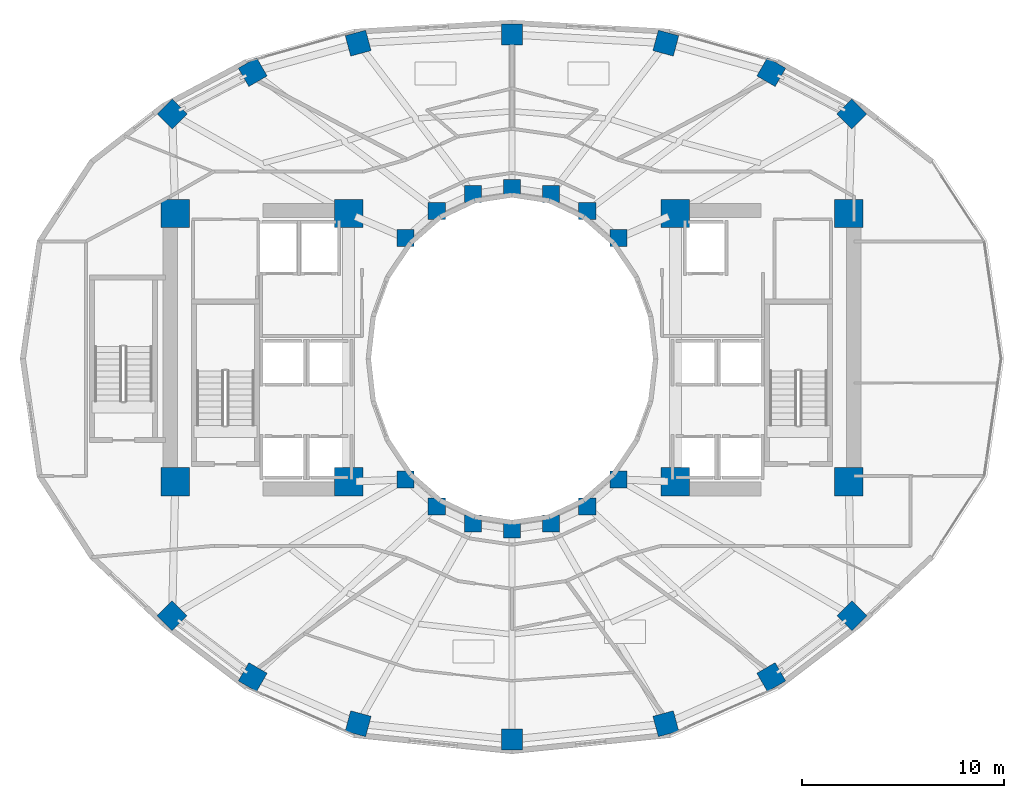
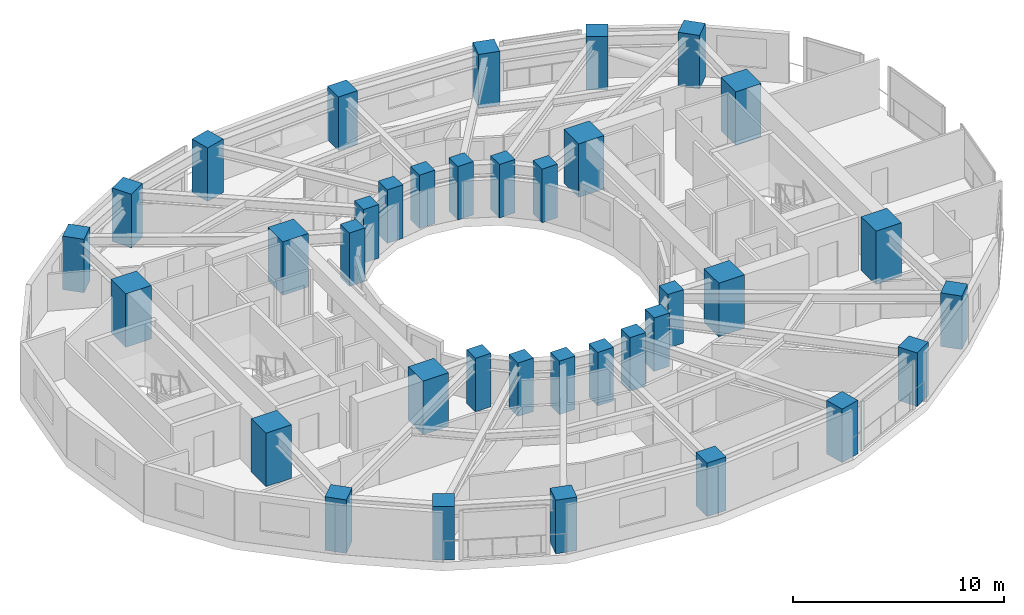
# One storey, part 1 of 18: 36 columns.
"""IFC4 building model written with IfcOpenShell, lengths in metres."""

import ifcopenshell
import ifcopenshell.guid

model = None  # the IFC model being written
_history = None  # IfcOwnerHistory: only IFC2X3 demands one
_inside = {}  # id of a spatial element -> (the spatial element, [elements in it])
_under = {}  # id of a project, library or spatial element -> (it, [spatial elements below it])
_declared = {}  # id of a project -> (the project, [libraries it declares])
_typed = {}  # id of a type object -> (the type object, [elements of that type])
_made_of = {}  # id of a material, layer set ... -> (it, [elements and type objects made of it])


def new_model(schema):
    """Start an empty IFC model of exactly this schema.

    Asked for "IFC4X3", IfcOpenShell would pick the latest addendum, in which some entities
    have other attributes; the version numbers below select the first issue.
    IFC2X3 requires an IfcOwnerHistory on every rooted entity: one is made here for all.
    """
    global model, _history
    if schema == "IFC4X3":
        model = ifcopenshell.file(schema_version=(4, 3, 0, 0))
    else:
        model = ifcopenshell.file(schema=schema)
    _inside.clear()
    _under.clear()
    _declared.clear()
    _typed.clear()
    _made_of.clear()
    _history = None
    if model.schema == "IFC2X3":
        org = make("IfcOrganization", Name="unknown")
        user = make(
            "IfcPersonAndOrganization",
            ThePerson=make("IfcPerson", FamilyName="unknown"),
            TheOrganization=org,
        )
        app = make(
            "IfcApplication",
            ApplicationDeveloper=org,
            Version="unknown",
            ApplicationFullName="unknown",
            ApplicationIdentifier="unknown",
        )
        _history = make(
            "IfcOwnerHistory",
            OwningUser=user,
            OwningApplication=app,
            ChangeAction="ADDED",
            CreationDate=0,
        )
    return model


def make(cls, **values):
    """One entity of the class cls with the attributes given. An attribute that is None is left unset."""
    return model.create_entity(
        cls, **{name: value for name, value in values.items() if value is not None}
    )


def rooted(cls, **values):
    """An entity with a GlobalId (a new one), such as an element, a storey or a relation."""
    return make(cls, GlobalId=ifcopenshell.guid.new(), OwnerHistory=_history, **values)


def si_unit(unit_type, name, prefix=None):
    """IfcSIUnit, for example si_unit("LENGTHUNIT", "METRE", prefix="MILLI")."""
    return make("IfcSIUnit", UnitType=unit_type, Prefix=prefix, Name=name)


def assignment(units):
    """IfcUnitAssignment: the units of a project."""
    return None if units is None else make("IfcUnitAssignment", Units=units)


def point(xyz):
    """IfcCartesianPoint."""
    return None if xyz is None else make("IfcCartesianPoint", Coordinates=xyz)


def direction(xyz):
    """IfcDirection."""
    return None if xyz is None else make("IfcDirection", DirectionRatios=xyz)


def frame(location, z_axis=None, x_axis=None):
    """IfcAxis2Placement3D, a coordinate frame: its origin and axes. An axis left out is left unset."""
    return make(
        "IfcAxis2Placement3D",
        Location=point(location),
        Axis=direction(z_axis),
        RefDirection=direction(x_axis),
    )


def frame_2d(location, x_axis=None):
    """IfcAxis2Placement2D, a coordinate frame in the plane: its origin and x axis."""
    return make(
        "IfcAxis2Placement2D", Location=point(location), RefDirection=direction(x_axis)
    )


def origin():
    """The frame at (0, 0, 0) with its axes left unset."""
    return frame((0.0, 0.0, 0.0))


def origin_2d():
    """The frame at (0, 0) in the plane with its x axis left unset."""
    return frame_2d((0.0, 0.0))


def place(relative_to, where):
    """IfcLocalPlacement: puts the frame where relative to a parent placement (None: the world)."""
    return make(
        "IfcLocalPlacement", PlacementRelTo=relative_to, RelativePlacement=where
    )


def context(
    kind, dimensions, precision=None, world=None, true_north=None, identifier=None
):
    """IfcGeometricRepresentationContext, for example the 3D "Model" context."""
    return make(
        "IfcGeometricRepresentationContext",
        ContextIdentifier=identifier,
        ContextType=kind,
        CoordinateSpaceDimension=dimensions,
        Precision=precision,
        WorldCoordinateSystem=world,
        TrueNorth=true_north,
    )


def subcontext(parent, identifier, kind, view, scale=None):
    """IfcGeometricRepresentationSubContext, for example "Body" below "Model"."""
    return make(
        "IfcGeometricRepresentationSubContext",
        ContextIdentifier=identifier,
        ContextType=kind,
        ParentContext=parent,
        TargetScale=scale,
        TargetView=view,
    )


def project(units=None, contexts=None):
    """IfcProject with its units and contexts."""
    return rooted(
        "IfcProject",
        Name="project",
        RepresentationContexts=contexts,
        UnitsInContext=assignment(units),
    )


def spatial(cls, under=None, at=None, **own):
    """A site, building, storey or space (cls), placed at a placement, below another one or the project."""
    s = rooted(cls, ObjectPlacement=at, **own)
    if under is not None:
        _under.setdefault(under.id(), (under, []))[1].append(s)
    return s


def profile(cls, at=None, kind="AREA", **sizes):
    """A parametric profile (cls). Its sizes go by their IFC names, for example OverallWidth=200.0."""
    return make(cls, ProfileType=kind, Position=at, **sizes)


def rectangle(**sizes):
    """IfcRectangleProfileDef."""
    return profile("IfcRectangleProfileDef", **sizes)


def extrude(swept, where, along, depth):
    """IfcExtrudedAreaSolid: the profile swept, set in the frame where, extruded along a direction by depth."""
    return make(
        "IfcExtrudedAreaSolid",
        SweptArea=swept,
        Position=where,
        ExtrudedDirection=direction(along),
        Depth=depth,
    )


def shape(context_of_items, identifier, shape_type, items):
    """IfcShapeRepresentation: the items that make up one representation, for example the "Body"."""
    return make(
        "IfcShapeRepresentation",
        ContextOfItems=context_of_items,
        RepresentationIdentifier=identifier,
        RepresentationType=shape_type,
        Items=items,
    )


def material(Name=None, Category=None):
    """IfcMaterial."""
    return make("IfcMaterial", Name=Name, Category=Category)


def material_profile(
    of_material, cross_section, Name=None, Category=None, Priority=None
):
    """IfcMaterialProfile: a cross section and its material."""
    return make(
        "IfcMaterialProfile",
        Name=Name,
        Material=of_material,
        Profile=cross_section,
        Priority=Priority,
        Category=Category,
    )


def profile_set(profiles, Name=None, composite=None):
    """IfcMaterialProfileSet."""
    return make(
        "IfcMaterialProfileSet",
        Name=Name,
        MaterialProfiles=profiles,
        CompositeProfile=composite,
    )


def made_of(thing, what):
    """Note that an element or type object is made of a material, layer set ...; save() writes the relation."""
    if what is not None:
        _made_of.setdefault(what.id(), (what, []))[1].append(thing)
    return thing


def type_object(cls, material=None, **own):
    """A type object (cls), such as IfcWallType, which elements share."""
    return made_of(rooted(cls, **own), material)


def element(
    cls,
    number,
    at=None,
    inside=None,
    cuts=None,
    type_object=None,
    material=None,
    context=None,
    identifier="Body",
    shape_type=None,
    held_by="IfcProductDefinitionShape",
    body=None,
    shapes=None,
    **own,
):
    """One element of the class cls, such as IfcWall. Its Tag is "e" and its number.

    at: its placement. inside: the storey or other place that contains it. cuts: it is an
    opening in that element (IfcRelVoidsElement). A single representation is given by context,
    identifier, shape_type and body (its items); several are given by shapes. held_by: the class
    of the entity that holds the representations. save() writes the other relations.
    """
    e = rooted(cls, Tag="e%d" % number, ObjectPlacement=at, **own)
    if body is not None:
        shapes = [shape(context, identifier, shape_type, body)]
    if shapes is not None:
        e.Representation = make(held_by, Representations=shapes)
    if inside is not None:
        _inside.setdefault(inside.id(), (inside, []))[1].append(e)
    if cuts is not None:
        rooted(
            "IfcRelVoidsElement", RelatingBuildingElement=cuts, RelatedOpeningElement=e
        )
    if type_object is not None:
        _typed.setdefault(type_object.id(), (type_object, []))[1].append(e)
    return made_of(e, material)


def aggregate(whole, parts):
    """IfcRelAggregates: a whole, such as a stair, and the parts it consists of."""
    return rooted("IfcRelAggregates", RelatingObject=whole, RelatedObjects=parts)


def save(model, path):
    """Write the relations noted so far, then the file.

    IfcRelAggregates (storeys below a building ...), IfcRelContainedInSpatialStructure (elements
    in a storey), IfcRelDefinesByType, IfcRelAssociatesMaterial and IfcRelDeclares: one each for
    every whole, place, type object, material and project.
    """
    for whole, parts in _under.values():
        aggregate(whole, parts)
    for where, things in _inside.values():
        rooted(
            "IfcRelContainedInSpatialStructure",
            RelatedElements=things,
            RelatingStructure=where,
        )
    for kind, things in _typed.values():
        rooted("IfcRelDefinesByType", RelatedObjects=things, RelatingType=kind)
    for what, things in _made_of.values():
        rooted("IfcRelAssociatesMaterial", RelatedObjects=things, RelatingMaterial=what)
    for by, libraries in _declared.values():
        rooted("IfcRelDeclares", RelatingContext=by, RelatedDefinitions=libraries)
    model.write(path)


model = new_model("IFC4")

# Units and contexts
model_context = context("Model", 3, precision=1e-05, world=origin(), true_north=direction((0.0, 1.0)))
body_context = subcontext(model_context, "Body", "Model", "MODEL_VIEW")
ifc_project = project(units=[si_unit("LENGTHUNIT", "METRE"), si_unit("AREAUNIT", "SQUARE_METRE"), si_unit("VOLUMEUNIT", "CUBIC_METRE"), si_unit("PLANEANGLEUNIT", "RADIAN"), si_unit("MASSUNIT", "GRAM", prefix="KILO")], contexts=[model_context])

# Site, building, storey
site_placement = place(None, origin())
site = spatial("IfcSite", under=ifc_project, at=site_placement, CompositionType="ELEMENT")
building_placement = place(site_placement, origin())
building = spatial("IfcBuilding", under=site, at=building_placement, Name="Solvane Sanctuary Tower", CompositionType="ELEMENT")
storey_placement = place(building_placement, frame((0.0, 0.0, 94.89990234375)))
storey = spatial("IfcBuildingStorey", under=building, at=storey_placement, Name="L28", CompositionType="ELEMENT", Elevation=94.89990234375)

# Columns
ifc_material_1 = material(Name="Concrete C70/85", Category="concrete")
ifc_material_profile_1 = material_profile(ifc_material_1, rectangle(XDim=1.39990234375, YDim=1.39990234375, at=origin_2d()), Name="RC1400X1400")
ifc_profile_set_1 = profile_set([ifc_material_profile_1], Name="Concrete C70/85")
column_type_1 = type_object("IfcColumnType", Name="Column C-POD-INT RC1400X1400", PredefinedType="COLUMN", material=ifc_profile_set_1)
for number, where, z_axis, x_axis, name in (
    (1, (15.300048828125, 16.89990234375, 0.0), (0.0, 0.0, 1.0), (1.0, 0.0, 0.0), "L28 Core Corner Column CW1"),
    (2, (23.89990234375, 16.89990234375, 0.0), (0.0, 0.0, 1.0), (1.0, 0.0, 0.0), "L28 Core Corner Column CW2"),
    (3, (23.89990234375, 30.199951171875, 0.0), (0.0, 0.0, 1.0), (1.0, 0.0, 0.0), "L28 Core Corner Column CW3"),
    (4, (15.300048828125, 30.199951171875, 0.0), (0.0, 0.0, 1.0), (1.0, 0.0, 0.0), "L28 Core Corner Column CW4"),
    (5, (40.10009765625, 16.89990234375, 0.0), (0.0, 0.0, 1.0), (1.0, 0.0, 0.0), "L28 Core Corner Column CE1"),
    (6, (48.699951171875, 16.89990234375, 0.0), (0.0, 0.0, 1.0), (1.0, 0.0, 0.0), "L28 Core Corner Column CE2"),
    (7, (48.699951171875, 30.199951171875, 0.0), (0.0, 0.0, 1.0), (1.0, 0.0, 0.0), "L28 Core Corner Column CE3"),
    (8, (40.10009765625, 30.199951171875, 0.0), (0.0, 0.0, 1.0), (1.0, 0.0, 0.0), "L28 Core Corner Column CE4"),
):
    element("IfcColumn", number, at=place(storey_placement, frame(where, z_axis=z_axis, x_axis=x_axis)), inside=storey, type_object=column_type_1, Name=name, PredefinedType="COLUMN", context=body_context, shape_type="SweptSolid", body=[
        extrude(rectangle(XDim=1.39990234375, YDim=1.39990234375, at=origin_2d()), origin(), (0.0, 0.0, 1.0), 3.10009765625),
    ])
ifc_material_2 = material(Name="Concrete C60/75", Category="concrete")
ifc_material_profile_2 = material_profile(ifc_material_2, rectangle(XDim=0.85009765625, YDim=0.85009765625, at=origin_2d()), Name="RC850X850")
ifc_profile_set_2 = profile_set([ifc_material_profile_2], Name="Concrete C60/75")
column_type_2 = type_object("IfcColumnType", Name="Column C-RING-Z2 RC850X850", PredefinedType="COLUMN", material=ifc_profile_set_2)
for number, where, z_axis, x_axis, name in (
    (9, (37.27490234375, 28.982177734375, 0.0), (0.0, 0.0, 1.0), (1.0, 0.0, 0.0), "L28 Inner Light-Well Ring Column IC01"),
    (10, (35.72998046875, 30.32666015625, 0.0), (0.0, 0.0, 1.0), (1.0, 0.0, 0.0), "L28 Inner Light-Well Ring Column IC02"),
    (11, (33.930908203125, 31.171630859375, 0.0), (0.0, 0.0, 1.0), (1.0, 0.0, 0.0), "L28 Inner Light-Well Ring Column IC03"),
    (12, (32.0, 31.4599609375, 0.0), (0.0, 0.0, 1.0), (1.0, 0.0, 0.0), "L28 Inner Light-Well Ring Column IC04"),
    (13, (30.069091796875, 31.171630859375, 0.0), (0.0, 0.0, 1.0), (1.0, 0.0, 0.0), "L28 Inner Light-Well Ring Column IC05"),
    (14, (28.27001953125, 30.32666015625, 0.0), (0.0, 0.0, 1.0), (1.0, 0.0, 0.0), "L28 Inner Light-Well Ring Column IC06"),
    (15, (26.72509765625, 28.982177734375, 0.0), (0.0, 0.0, 1.0), (1.0, 0.0, 0.0), "L28 Inner Light-Well Ring Column IC07"),
    (16, (26.72509765625, 17.017822265625, 0.0), (0.0, 0.0, 1.0), (1.0, 0.0, 0.0), "L28 Inner Light-Well Ring Column IC08"),
    (17, (28.27001953125, 15.67333984375, 0.0), (0.0, 0.0, 1.0), (1.0, 0.0, 0.0), "L28 Inner Light-Well Ring Column IC09"),
    (18, (30.069091796875, 14.828369140625, 0.0), (0.0, 0.0, 1.0), (1.0, 0.0, 0.0), "L28 Inner Light-Well Ring Column IC10"),
    (19, (32.0, 14.5400390625, 0.0), (0.0, 0.0, 1.0), (1.0, 0.0, 0.0), "L28 Inner Light-Well Ring Column IC11"),
    (20, (33.930908203125, 14.828369140625, 0.0), (0.0, 0.0, 1.0), (1.0, 0.0, 0.0), "L28 Inner Light-Well Ring Column IC12"),
    (21, (35.72998046875, 15.67333984375, 0.0), (0.0, 0.0, 1.0), (1.0, 0.0, 0.0), "L28 Inner Light-Well Ring Column IC13"),
    (22, (37.27490234375, 17.017822265625, 0.0), (0.0, 0.0, 1.0), (1.0, 0.0, 0.0), "L28 Inner Light-Well Ring Column IC14"),
):
    element("IfcColumn", number, at=place(storey_placement, frame(where, z_axis=z_axis, x_axis=x_axis)), inside=storey, type_object=column_type_2, Name=name, PredefinedType="COLUMN", context=body_context, shape_type="SweptSolid", body=[
        extrude(rectangle(XDim=0.85009765625, YDim=0.85009765625, at=origin_2d()), origin(), (0.0, 0.0, 1.0), 3.10009765625),
    ])
ifc_material_profile_3 = material_profile(ifc_material_2, rectangle(XDim=1.050048828125, YDim=1.050048828125, at=origin_2d()), Name="RC1050X1050")
ifc_profile_set_3 = profile_set([ifc_material_profile_3], Name="Concrete C60/75")
column_type_3 = type_object("IfcColumnType", Name="Column C-TUBE-Z2 RC1050X1050", PredefinedType="COLUMN", material=ifc_profile_set_3)
for number, where, z_axis, x_axis, name in (
    (23, (48.85302734375, 35.13818359375, 0.0), (0.0, 0.0, 1.0), (0.707106781187, 0.707106781187, 0.0), "L28 Perimeter Tube Column TC01"),
    (24, (44.8583984375, 37.217529296875, 0.0), (0.0, 0.0, 1.0), (0.5, 0.866025403784, 0.0), "L28 Perimeter Tube Column TC02"),
    (25, (39.62939453125, 38.652099609375, 0.0), (0.0, 0.0, 1.0), (0.258819045103, 0.965925826289, 0.0), "L28 Perimeter Tube Column TC03"),
    (26, (32.0, 39.080078125, 0.0), (0.0, 0.0, 1.0), (0.0, 1.0, 0.0), "L28 Perimeter Tube Column TC04"),
    (27, (24.37060546875, 38.652099609375, 0.0), (0.0, 0.0, 1.0), (-0.258819045103, 0.965925826289, 0.0), "L28 Perimeter Tube Column TC05"),
    (28, (19.1416015625, 37.217529296875, 0.0), (0.0, 0.0, 1.0), (-0.5, 0.866025403784, 0.0), "L28 Perimeter Tube Column TC06"),
    (29, (15.14697265625, 35.13818359375, 0.0), (0.0, 0.0, 1.0), (-0.707106781187, 0.707106781187, 0.0), "L28 Perimeter Tube Column TC07"),
    (30, (15.14697265625, 10.257080078125, 0.0), (0.0, 0.0, 1.0), (-0.707106781187, -0.707106781187, 0.0), "L28 Perimeter Tube Column TC08"),
    (31, (19.1416015625, 7.2138671875, 0.0), (0.0, 0.0, 1.0), (-0.5, -0.866025403784, 0.0), "L28 Perimeter Tube Column TC09"),
    (32, (24.37060546875, 4.89990234375, 0.0), (0.0, 0.0, 1.0), (-0.258819045103, -0.965925826289, 0.0), "L28 Perimeter Tube Column TC10"),
    (33, (32.0, 4.1201171875, 0.0), (0.0, 0.0, 1.0), (0.0, -1.0, 0.0), "L28 Perimeter Tube Column TC11"),
    (34, (39.62939453125, 4.89990234375, 0.0), (0.0, 0.0, 1.0), (0.258819045103, -0.965925826289, 0.0), "L28 Perimeter Tube Column TC12"),
    (35, (44.8583984375, 7.2138671875, 0.0), (0.0, 0.0, 1.0), (0.5, -0.866025403784, 0.0), "L28 Perimeter Tube Column TC13"),
    (36, (48.85302734375, 10.257080078125, 0.0), (0.0, 0.0, 1.0), (0.707106781187, -0.707106781187, 0.0), "L28 Perimeter Tube Column TC14"),
):
    element("IfcColumn", number, at=place(storey_placement, frame(where, z_axis=z_axis, x_axis=x_axis)), inside=storey, type_object=column_type_3, Name=name, PredefinedType="COLUMN", context=body_context, shape_type="SweptSolid", body=[
        extrude(rectangle(XDim=1.050048828125, YDim=1.050048828125, at=origin_2d()), origin(), (0.0, 0.0, 1.0), 3.10009765625),
    ])

save(model, "model.ifc")
